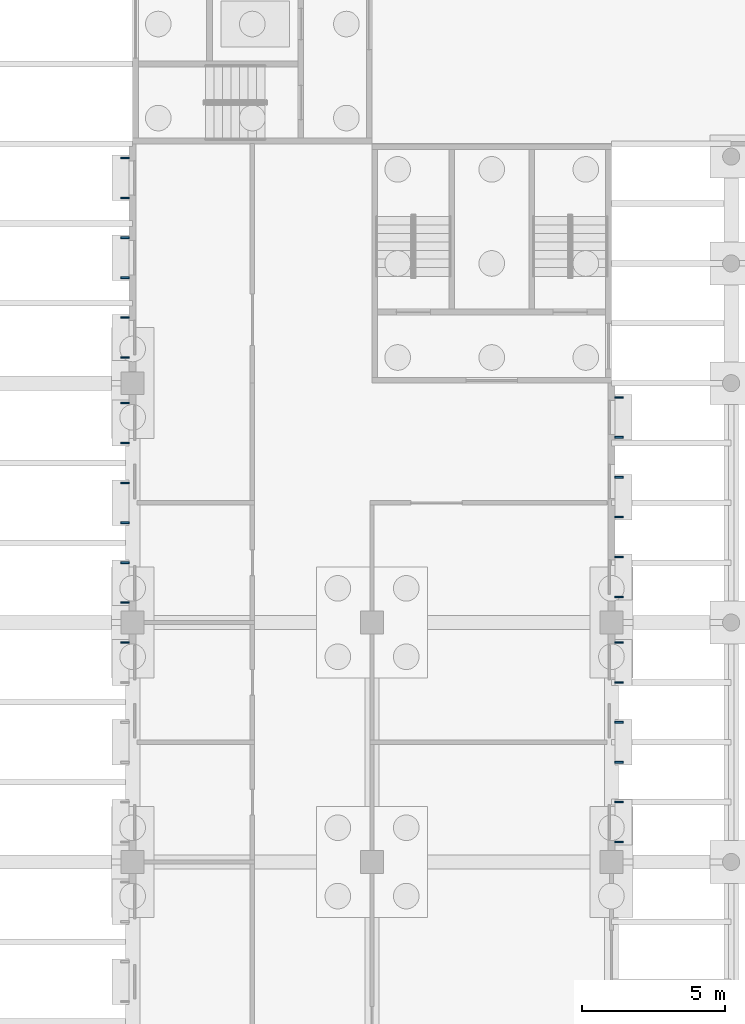
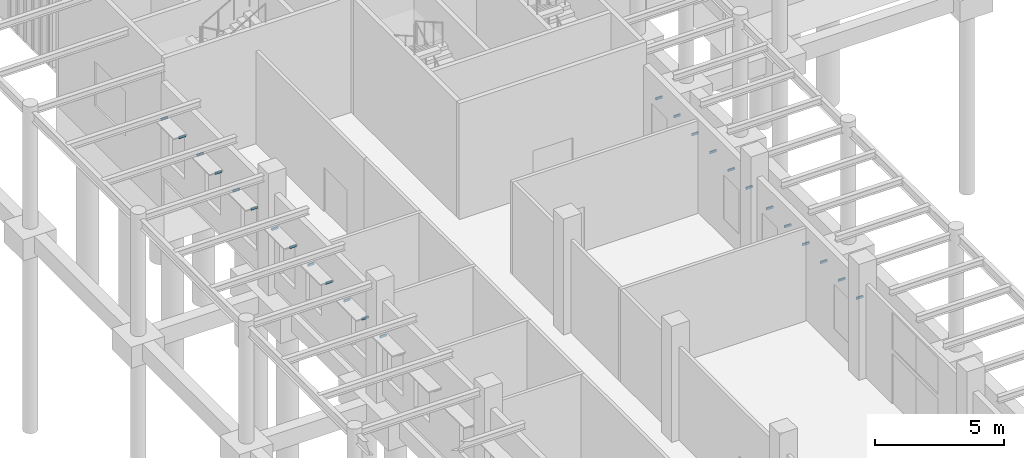
# One storey, part 50 of 82: 25 discrete accessories.
"""IFC4 building model written with IfcOpenShell, lengths in metres."""

from ifc_helpers import new_model, si_unit, direction, frame, origin, origin_2d, place, context, subcontext, project, spatial, rectangle, extrude, material, type_object, element, save


model = new_model("IFC4")

# Units and contexts
model_context = context("Model", 3, precision=1e-05, world=origin(), true_north=direction((0.0, 1.0)))
body_context = subcontext(model_context, "Body", "Model", "MODEL_VIEW")
ifc_project = project(units=[si_unit("LENGTHUNIT", "METRE"), si_unit("AREAUNIT", "SQUARE_METRE"), si_unit("VOLUMEUNIT", "CUBIC_METRE"), si_unit("PLANEANGLEUNIT", "RADIAN"), si_unit("MASSUNIT", "GRAM", prefix="KILO")], contexts=[model_context])

# Site, building, storey
site_placement = place(None, origin())
site = spatial("IfcSite", under=ifc_project, at=site_placement, CompositionType="ELEMENT")
building_placement = place(site_placement, origin())
building = spatial("IfcBuilding", under=site, at=building_placement, Name="Almond Square Museum", CompositionType="ELEMENT")
storey_placement = place(building_placement, origin())
storey = spatial("IfcBuildingStorey", under=building, at=storey_placement, Name="L00", CompositionType="ELEMENT", Elevation=0.0)

# Discrete accessories
ifc_material = material(Name="Stainless steel", Category="steel")
discrete_accessory_type = type_object("IfcDiscreteAccessoryType", Name="Sun-shade blade bracket", PredefinedType="BRACKET", material=ifc_material)
for number, where, z_axis, x_axis, name in (
    (1, (23.072998046875, 51.10009765625, 2.9970703125), (0.0, 0.0, 1.0), (1.0, 0.0, 0.0), "Bracket sun-shade blade"),
    (2, (23.072998046875, 52.5, 2.9970703125), (0.0, 0.0, 1.0), (1.0, 0.0, 0.0), "Bracket sun-shade blade"),
    (3, (23.072998046875, 53.89990234375, 2.9970703125), (0.0, 0.0, 1.0), (1.0, 0.0, 0.0), "Bracket sun-shade blade"),
    (4, (23.072998046875, 55.300048828125, 2.9970703125), (0.0, 0.0, 1.0), (1.0, 0.0, 0.0), "Bracket sun-shade blade"),
    (5, (23.072998046875, 56.699951171875, 2.9970703125), (0.0, 0.0, 1.0), (1.0, 0.0, 0.0), "Bracket sun-shade blade"),
    (6, (23.072998046875, 58.10009765625, 2.9970703125), (0.0, 0.0, 1.0), (1.0, 0.0, 0.0), "Bracket sun-shade blade"),
    (7, (23.072998046875, 59.699951171875, 2.9970703125), (0.0, 0.0, 1.0), (1.0, 0.0, 0.0), "Bracket sun-shade blade"),
    (8, (23.072998046875, 61.10009765625, 2.9970703125), (0.0, 0.0, 1.0), (1.0, 0.0, 0.0), "Bracket sun-shade blade"),
    (9, (23.072998046875, 62.5, 2.9970703125), (0.0, 0.0, 1.0), (1.0, 0.0, 0.0), "Bracket sun-shade blade"),
    (10, (23.072998046875, 63.89990234375, 2.9970703125), (0.0, 0.0, 1.0), (1.0, 0.0, 0.0), "Bracket sun-shade blade"),
    (11, (23.072998046875, 65.300048828125, 2.9970703125), (0.0, 0.0, 1.0), (1.0, 0.0, 0.0), "Bracket sun-shade blade"),
    (12, (23.072998046875, 66.699951171875, 2.9970703125), (0.0, 0.0, 1.0), (1.0, 0.0, 0.0), "Bracket sun-shade blade"),
    (13, (5.72705078125, 68.10009765625, 2.9970703125), (0.0, 0.0, 1.0), (1.0, 0.0, 0.0), "Bracket sun-shade blade"),
    (14, (5.72705078125, 69.5, 2.9970703125), (0.0, 0.0, 1.0), (1.0, 0.0, 0.0), "Bracket sun-shade blade"),
    (15, (5.72705078125, 70.89990234375, 2.9970703125), (0.0, 0.0, 1.0), (1.0, 0.0, 0.0), "Bracket sun-shade blade"),
    (16, (5.72705078125, 72.300048828125, 2.9970703125), (0.0, 0.0, 1.0), (1.0, 0.0, 0.0), "Bracket sun-shade blade"),
    (17, (5.72705078125, 73.699951171875, 2.9970703125), (0.0, 0.0, 1.0), (1.0, 0.0, 0.0), "Bracket sun-shade blade"),
    (18, (5.72705078125, 75.10009765625, 2.9970703125), (0.0, 0.0, 1.0), (1.0, 0.0, 0.0), "Bracket sun-shade blade"),
    (19, (5.72705078125, 59.5, 2.9970703125), (0.0, 0.0, 1.0), (1.0, 0.0, 0.0), "Bracket sun-shade blade"),
    (20, (5.72705078125, 60.89990234375, 2.9970703125), (0.0, 0.0, 1.0), (1.0, 0.0, 0.0), "Bracket sun-shade blade"),
    (21, (5.72705078125, 62.300048828125, 2.9970703125), (0.0, 0.0, 1.0), (1.0, 0.0, 0.0), "Bracket sun-shade blade"),
    (22, (5.72705078125, 63.699951171875, 2.9970703125), (0.0, 0.0, 1.0), (1.0, 0.0, 0.0), "Bracket sun-shade blade"),
    (23, (5.72705078125, 65.10009765625, 2.9970703125), (0.0, 0.0, 1.0), (1.0, 0.0, 0.0), "Bracket sun-shade blade"),
    (24, (5.72705078125, 66.5, 2.9970703125), (0.0, 0.0, 1.0), (1.0, 0.0, 0.0), "Bracket sun-shade blade"),
    (25, (5.72705078125, 58.10009765625, 2.9970703125), (0.0, 0.0, 1.0), (1.0, 0.0, 0.0), "Bracket sun-shade blade"),
):
    element("IfcDiscreteAccessory", number, at=place(storey_placement, frame(where, z_axis=z_axis, x_axis=x_axis)), inside=storey, type_object=discrete_accessory_type, Name=name, PredefinedType="BRACKET", context=body_context, shape_type="SweptSolid", body=[
        extrude(rectangle(XDim=0.300048828125, YDim=0.06005859375, at=origin_2d()), origin(), (0.0, 0.0, 1.0), 0.10009765625),
    ])

save(model, "model.ifc")
